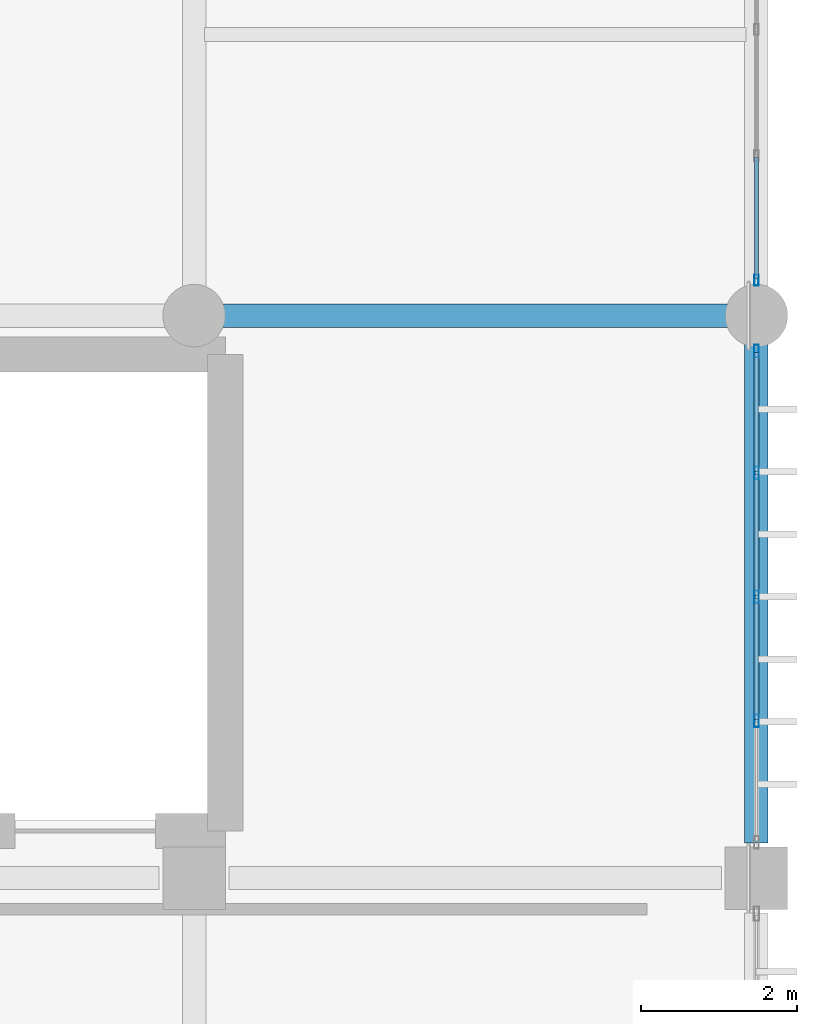
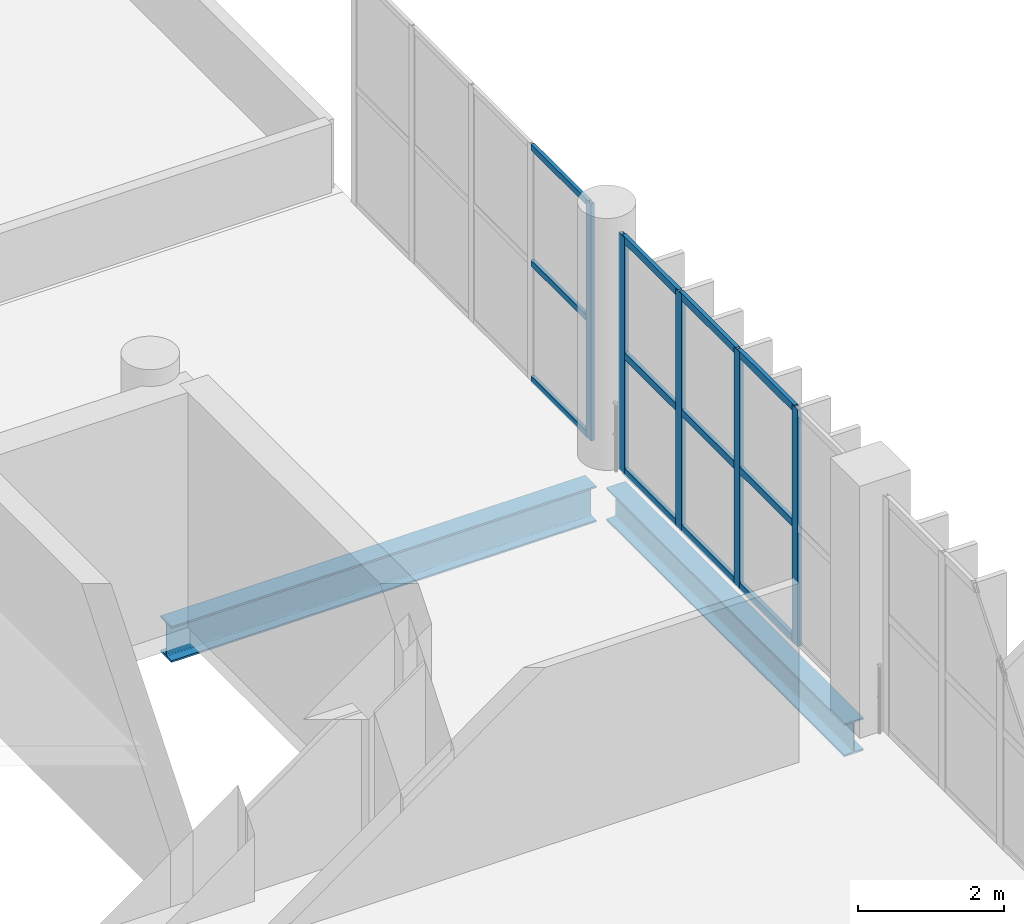
# One storey, part 90 of 153: 17 members, 2 beams, 2 elements without a shape of their own.
"""IFC4 building model written with IfcOpenShell, lengths in metres."""

from ifc_helpers import new_model, si_unit, direction, frame, origin, origin_2d, place, context, subcontext, project, spatial, hollow_rectangle, i_section, extrude, material, material_profile, profile_set, type_object, element, aggregate, save


model = new_model("IFC4")

# Units and contexts
model_context = context("Model", 3, precision=1e-05, world=origin(), true_north=direction((0.0, 1.0)))
body_context = subcontext(model_context, "Body", "Model", "MODEL_VIEW")
ifc_project = project(units=[si_unit("LENGTHUNIT", "METRE"), si_unit("AREAUNIT", "SQUARE_METRE"), si_unit("VOLUMEUNIT", "CUBIC_METRE"), si_unit("PLANEANGLEUNIT", "RADIAN"), si_unit("MASSUNIT", "GRAM", prefix="KILO")], contexts=[model_context])

# Site, building, storey
site_placement = place(None, origin())
site = spatial("IfcSite", under=ifc_project, at=site_placement, CompositionType="ELEMENT")
building_placement = place(site_placement, origin())
building = spatial("IfcBuilding", under=site, at=building_placement, Name="Qandorah Velis Arena", CompositionType="ELEMENT")
storey_placement = place(building_placement, frame((0.0, 0.0, 5.39990234375)))
storey = spatial("IfcBuildingStorey", under=building, at=storey_placement, Name="L01", CompositionType="ELEMENT", Elevation=5.39990234375)

# Curtain wall, member
ifc_material_1 = material(Name="Solar-control low-E double glazing", Category="glass")
curtain_wall_type_1 = type_object("IfcCurtainWallType", Name="ARC-CW-SYS24", PredefinedType="USERDEFINED", material=ifc_material_1)
curtain_wall_1_placement = place(storey_placement, origin())
curtain_wall_1 = element("IfcCurtainWall", 1, at=curtain_wall_1_placement, inside=storey, type_object=curtain_wall_type_1, Name="Unitised curtain wall L01-144", ObjectType="UNITISED CURTAIN WALL", PredefinedType="USERDEFINED")
ifc_material_2 = material(Name="Champagne-bronze anodized aluminium 6063-T6", Category="aluminium")
ifc_material_profile_1 = material_profile(ifc_material_2, hollow_rectangle(XDim=0.054931640625, YDim=0.139892578125, WallThickness=0.0029296875, at=origin_2d()), Name="ALU MULLION 55x140")
ifc_profile_set_1 = profile_set([ifc_material_profile_1], Name="Champagne-bronze anodized aluminium 6063-T6")
member_type_1 = type_object("IfcMemberType", Name="ARC-CWM-140", PredefinedType="MULLION", material=ifc_profile_set_1)
member_1_placement = place(storey_placement, frame((172.800048828125, 86.8525390625, -0.014892578125), z_axis=(0.0, 0.0, 1.0), x_axis=(-1.0, 0.0, 0.0)))
member_1 = element("IfcMember", 2, at=member_1_placement, type_object=member_type_1, Name="CW24 mullion 1", PredefinedType="MULLION", context=body_context, shape_type="SweptSolid", body=[
    extrude(hollow_rectangle(XDim=0.054931640625, YDim=0.139892578125, WallThickness=0.0029296875, at=origin_2d()), origin(), (0.0, 0.0, 1.0), 3.949951171875),
])

# Curtain wall, members
curtain_wall_type_2 = type_object("IfcCurtainWallType", Name="ARC-CW-SYS23", PredefinedType="USERDEFINED", material=ifc_material_1)
curtain_wall_2_placement = place(storey_placement, origin())
curtain_wall_2 = element("IfcCurtainWall", 3, at=curtain_wall_2_placement, inside=storey, type_object=curtain_wall_type_2, Name="Unitised curtain wall L01-143", ObjectType="UNITISED CURTAIN WALL", PredefinedType="USERDEFINED")
ifc_material_profile_2 = material_profile(ifc_material_2, hollow_rectangle(XDim=0.06005859375, YDim=0.159912109375, WallThickness=0.00341796875, at=origin_2d()), Name="ALU MULLION 60x160")
ifc_profile_set_2 = profile_set([ifc_material_profile_2], Name="Champagne-bronze anodized aluminium 6063-T6")
member_type_2 = type_object("IfcMemberType", Name="ARC-CWM-160", PredefinedType="MULLION", material=ifc_profile_set_2)
member_2_placement = place(storey_placement, frame((172.800048828125, 81.21240234375, -0.014892578125), z_axis=(0.0, 0.0, 1.0), x_axis=(-1.0, 0.0, 0.0)))
member_2 = element("IfcMember", 4, at=member_2_placement, type_object=member_type_2, Name="CW23 mullion 2", PredefinedType="MULLION", context=body_context, shape_type="SweptSolid", body=[
    extrude(hollow_rectangle(XDim=0.06005859375, YDim=0.159912109375, WallThickness=0.00341796875, at=origin_2d()), origin(), (0.0, 0.0, 1.0), 3.949951171875),
])
member_3_placement = place(storey_placement, frame((172.800048828125, 82.800048828125, -0.014892578125), z_axis=(0.0, 0.0, 1.0), x_axis=(-1.0, 0.0, 0.0)))
member_3 = element("IfcMember", 5, at=member_3_placement, type_object=member_type_2, Name="CW23 mullion 3", PredefinedType="MULLION", context=body_context, shape_type="SweptSolid", body=[
    extrude(hollow_rectangle(XDim=0.06005859375, YDim=0.159912109375, WallThickness=0.00341796875, at=origin_2d()), origin(), (0.0, 0.0, 1.0), 3.949951171875),
])
member_4_placement = place(storey_placement, frame((172.800048828125, 84.387451171875, -0.014892578125), z_axis=(0.0, 0.0, 1.0), x_axis=(-1.0, 0.0, 0.0)))
member_4 = element("IfcMember", 6, at=member_4_placement, type_object=member_type_2, Name="CW23 mullion 4", PredefinedType="MULLION", context=body_context, shape_type="SweptSolid", body=[
    extrude(hollow_rectangle(XDim=0.06005859375, YDim=0.159912109375, WallThickness=0.00341796875, at=origin_2d()), origin(), (0.0, 0.0, 1.0), 3.949951171875),
])
member_5_placement = place(storey_placement, frame((172.800048828125, 85.945068359375, -0.014892578125), z_axis=(0.0, 0.0, 1.0), x_axis=(-1.0, 0.0, 0.0)))
member_5 = element("IfcMember", 7, at=member_5_placement, type_object=member_type_2, Name="CW23 mullion 5", PredefinedType="MULLION", context=body_context, shape_type="SweptSolid", body=[
    extrude(hollow_rectangle(XDim=0.06005859375, YDim=0.159912109375, WallThickness=0.00341796875, at=origin_2d()), origin(), (0.0, 0.0, 1.0), 3.949951171875),
])

# Member
ifc_material_profile_3 = material_profile(ifc_material_2, hollow_rectangle(XDim=0.054931640625, YDim=0.10009765625, WallThickness=0.0029296875, at=origin_2d()), Name="ALU TRANSOM 55x100")
ifc_profile_set_3 = profile_set([ifc_material_profile_3], Name="Champagne-bronze anodized aluminium 6063-T6")
member_type_3 = type_object("IfcMemberType", Name="ARC-CWT-100", PredefinedType="USERDEFINED", material=ifc_profile_set_3)
member_6_placement = place(storey_placement, frame((172.800048828125, 86.867919921875, 0.027587890625), z_axis=(0.0, 1.0, 0.0), x_axis=(-1.0, 0.0, 0.0)))
member_6 = element("IfcMember", 8, at=member_6_placement, type_object=member_type_3, Name="CW24 transom 1.1", ObjectType="TRANSOM", PredefinedType="USERDEFINED", context=body_context, shape_type="SweptSolid", body=[
    extrude(hollow_rectangle(XDim=0.054931640625, YDim=0.10009765625, WallThickness=0.0029296875, at=origin_2d()), origin(), (0.0, 0.0, 1.0), 1.560302734375),
])

member_7_placement = place(storey_placement, frame((172.800048828125, 86.867919921875, 1.960205078125), z_axis=(0.0, 1.0, 0.0), x_axis=(-1.0, 0.0, 0.0)))
member_7 = element("IfcMember", 9, at=member_7_placement, type_object=member_type_3, Name="CW24 transom 1.2", ObjectType="TRANSOM", PredefinedType="USERDEFINED", context=body_context, shape_type="SweptSolid", body=[
    extrude(hollow_rectangle(XDim=0.054931640625, YDim=0.10009765625, WallThickness=0.0029296875, at=origin_2d()), origin(), (0.0, 0.0, 1.0), 1.560302734375),
])

member_8_placement = place(storey_placement, frame((172.800048828125, 86.867919921875, 3.892578125), z_axis=(0.0, 1.0, 0.0), x_axis=(-1.0, 0.0, 0.0)))
member_8 = element("IfcMember", 10, at=member_8_placement, type_object=member_type_3, Name="CW24 transom 1.3", ObjectType="TRANSOM", PredefinedType="USERDEFINED", context=body_context, shape_type="SweptSolid", body=[
    extrude(hollow_rectangle(XDim=0.054931640625, YDim=0.10009765625, WallThickness=0.0029296875, at=origin_2d()), origin(), (0.0, 0.0, 1.0), 1.560302734375),
])

aggregate(curtain_wall_1, [member_1, member_6, member_7, member_8])

ifc_material_profile_4 = material_profile(ifc_material_2, hollow_rectangle(XDim=0.06005859375, YDim=0.1201171875, WallThickness=0.0029296875, at=origin_2d()), Name="ALU TRANSOM 60x120")
ifc_profile_set_4 = profile_set([ifc_material_profile_4], Name="Champagne-bronze anodized aluminium 6063-T6")
member_type_4 = type_object("IfcMemberType", Name="ARC-CWT-120", PredefinedType="USERDEFINED", material=ifc_profile_set_4)
member_9_placement = place(storey_placement, frame((172.800048828125, 81.23046875, 0.030029296875), z_axis=(0.0, 1.0, 0.0), x_axis=(-1.0, 0.0, 0.0)))
member_9 = element("IfcMember", 11, at=member_9_placement, type_object=member_type_4, Name="CW23 transom 2.1", ObjectType="TRANSOM", PredefinedType="USERDEFINED", context=body_context, shape_type="SweptSolid", body=[
    extrude(hollow_rectangle(XDim=0.06005859375, YDim=0.1201171875, WallThickness=0.0029296875, at=origin_2d()), origin(), (0.0, 0.0, 1.0), 1.551513671875),
])

member_10_placement = place(storey_placement, frame((172.800048828125, 81.23046875, 1.960205078125), z_axis=(0.0, 1.0, 0.0), x_axis=(-1.0, 0.0, 0.0)))
member_10 = element("IfcMember", 12, at=member_10_placement, type_object=member_type_4, Name="CW23 transom 2.2", ObjectType="TRANSOM", PredefinedType="USERDEFINED", context=body_context, shape_type="SweptSolid", body=[
    extrude(hollow_rectangle(XDim=0.06005859375, YDim=0.1201171875, WallThickness=0.0029296875, at=origin_2d()), origin(), (0.0, 0.0, 1.0), 1.551513671875),
])

member_11_placement = place(storey_placement, frame((172.800048828125, 81.23046875, 3.89013671875), z_axis=(0.0, 1.0, 0.0), x_axis=(-1.0, 0.0, 0.0)))
member_11 = element("IfcMember", 13, at=member_11_placement, type_object=member_type_4, Name="CW23 transom 2.3", ObjectType="TRANSOM", PredefinedType="USERDEFINED", context=body_context, shape_type="SweptSolid", body=[
    extrude(hollow_rectangle(XDim=0.06005859375, YDim=0.1201171875, WallThickness=0.0029296875, at=origin_2d()), origin(), (0.0, 0.0, 1.0), 1.551513671875),
])

member_12_placement = place(storey_placement, frame((172.800048828125, 82.818115234375, 0.030029296875), z_axis=(0.0, 1.0, 0.0), x_axis=(-1.0, 0.0, 0.0)))
member_12 = element("IfcMember", 14, at=member_12_placement, type_object=member_type_4, Name="CW23 transom 3.1", ObjectType="TRANSOM", PredefinedType="USERDEFINED", context=body_context, shape_type="SweptSolid", body=[
    extrude(hollow_rectangle(XDim=0.06005859375, YDim=0.1201171875, WallThickness=0.0029296875, at=origin_2d()), origin(), (0.0, 0.0, 1.0), 1.55126953125),
])

member_13_placement = place(storey_placement, frame((172.800048828125, 82.818115234375, 1.960205078125), z_axis=(0.0, 1.0, 0.0), x_axis=(-1.0, 0.0, 0.0)))
member_13 = element("IfcMember", 15, at=member_13_placement, type_object=member_type_4, Name="CW23 transom 3.2", ObjectType="TRANSOM", PredefinedType="USERDEFINED", context=body_context, shape_type="SweptSolid", body=[
    extrude(hollow_rectangle(XDim=0.06005859375, YDim=0.1201171875, WallThickness=0.0029296875, at=origin_2d()), origin(), (0.0, 0.0, 1.0), 1.55126953125),
])

member_14_placement = place(storey_placement, frame((172.800048828125, 82.818115234375, 3.89013671875), z_axis=(0.0, 1.0, 0.0), x_axis=(-1.0, 0.0, 0.0)))
member_14 = element("IfcMember", 16, at=member_14_placement, type_object=member_type_4, Name="CW23 transom 3.3", ObjectType="TRANSOM", PredefinedType="USERDEFINED", context=body_context, shape_type="SweptSolid", body=[
    extrude(hollow_rectangle(XDim=0.06005859375, YDim=0.1201171875, WallThickness=0.0029296875, at=origin_2d()), origin(), (0.0, 0.0, 1.0), 1.55126953125),
])

member_15_placement = place(storey_placement, frame((172.800048828125, 84.405517578125, 0.030029296875), z_axis=(0.0, 1.0, 0.0), x_axis=(-1.0, 0.0, 0.0)))
member_15 = element("IfcMember", 17, at=member_15_placement, type_object=member_type_4, Name="CW23 transom 4.1", ObjectType="TRANSOM", PredefinedType="USERDEFINED", context=body_context, shape_type="SweptSolid", body=[
    extrude(hollow_rectangle(XDim=0.06005859375, YDim=0.1201171875, WallThickness=0.0029296875, at=origin_2d()), origin(), (0.0, 0.0, 1.0), 1.521484375),
])

member_16_placement = place(storey_placement, frame((172.800048828125, 84.405517578125, 1.960205078125), z_axis=(0.0, 1.0, 0.0), x_axis=(-1.0, 0.0, 0.0)))
member_16 = element("IfcMember", 18, at=member_16_placement, type_object=member_type_4, Name="CW23 transom 4.2", ObjectType="TRANSOM", PredefinedType="USERDEFINED", context=body_context, shape_type="SweptSolid", body=[
    extrude(hollow_rectangle(XDim=0.06005859375, YDim=0.1201171875, WallThickness=0.0029296875, at=origin_2d()), origin(), (0.0, 0.0, 1.0), 1.521484375),
])

member_17_placement = place(storey_placement, frame((172.800048828125, 84.405517578125, 3.89013671875), z_axis=(0.0, 1.0, 0.0), x_axis=(-1.0, 0.0, 0.0)))
member_17 = element("IfcMember", 19, at=member_17_placement, type_object=member_type_4, Name="CW23 transom 4.3", ObjectType="TRANSOM", PredefinedType="USERDEFINED", context=body_context, shape_type="SweptSolid", body=[
    extrude(hollow_rectangle(XDim=0.06005859375, YDim=0.1201171875, WallThickness=0.0029296875, at=origin_2d()), origin(), (0.0, 0.0, 1.0), 1.521484375),
])

aggregate(curtain_wall_2, [member_2, member_3, member_4, member_5, member_9, member_10, member_11, member_12, member_13, member_14, member_15, member_16, member_17])

# Beams
ifc_material_3 = material(Name="Steel S355", Category="steel")
ifc_material_profile_5 = material_profile(ifc_material_3, i_section(OverallWidth=0.300048828125, OverallDepth=0.550048828125, WebThickness=0.014892578125, FlangeThickness=0.029052734375, FilletRadius=0.027099609375, at=origin_2d()), Name="HEB 550")
ifc_profile_set_5 = profile_set([ifc_material_profile_5], Name="Steel S355")
beam_type_1 = type_object("IfcBeamType", Name="STR-BM-HEB550", PredefinedType="BEAM", material=ifc_profile_set_5)
beam_1_placement = place(storey_placement, frame((172.800048828125, 79.64990234375, -0.635009765625), z_axis=(0.0, 1.0, 0.0), x_axis=(-1.0, 0.0, 0.0)))
element("IfcBeam", 20, at=beam_1_placement, inside=storey, type_object=beam_type_1, Name="Primary floor girder L01 Y-425", PredefinedType="BEAM", context=body_context, shape_type="SweptSolid", body=[
    extrude(i_section(OverallWidth=0.300048828125, OverallDepth=0.550048828125, WebThickness=0.014892578125, FlangeThickness=0.029052734375, FilletRadius=0.027099609375, at=origin_2d()), origin(), (0.0, 0.0, 1.0), 6.5),
])
ifc_material_profile_6 = material_profile(ifc_material_3, i_section(OverallWidth=0.300048828125, OverallDepth=0.60009765625, WebThickness=0.015380859375, FlangeThickness=0.030029296875, FilletRadius=0.027099609375, at=origin_2d()), Name="HEB 600")
ifc_profile_set_6 = profile_set([ifc_material_profile_6], Name="Steel S355")
beam_type_2 = type_object("IfcBeamType", Name="STR-BM-HEB600", PredefinedType="BEAM", material=ifc_profile_set_6)
beam_2_placement = place(storey_placement, frame((165.85009765625, 86.39990234375, -0.659912109375), z_axis=(1.0, 0.0, 0.0), x_axis=(0.0, 1.0, 0.0)))
element("IfcBeam", 21, at=beam_2_placement, inside=storey, type_object=beam_type_2, Name="Primary floor girder L01 X-136", PredefinedType="BEAM", context=body_context, shape_type="SweptSolid", body=[
    extrude(i_section(OverallWidth=0.300048828125, OverallDepth=0.60009765625, WebThickness=0.015380859375, FlangeThickness=0.030029296875, FilletRadius=0.027099609375, at=origin_2d()), origin(), (0.0, 0.0, 1.0), 6.699951171875),
])

save(model, "model.ifc")
